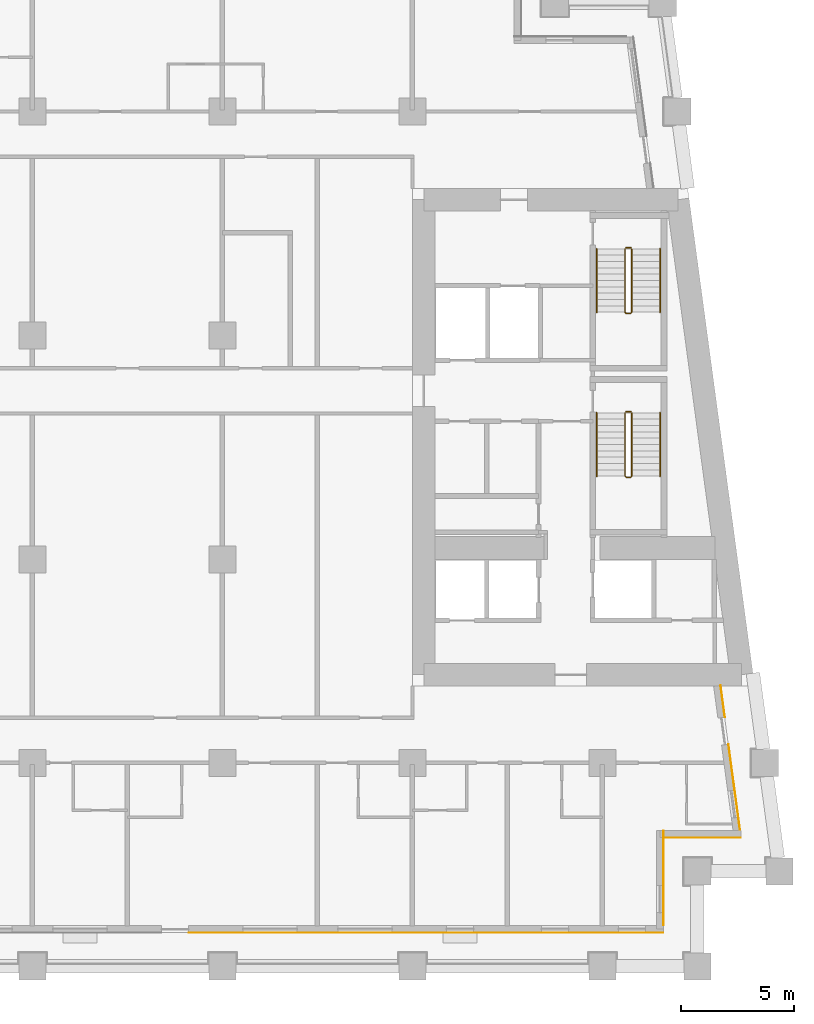
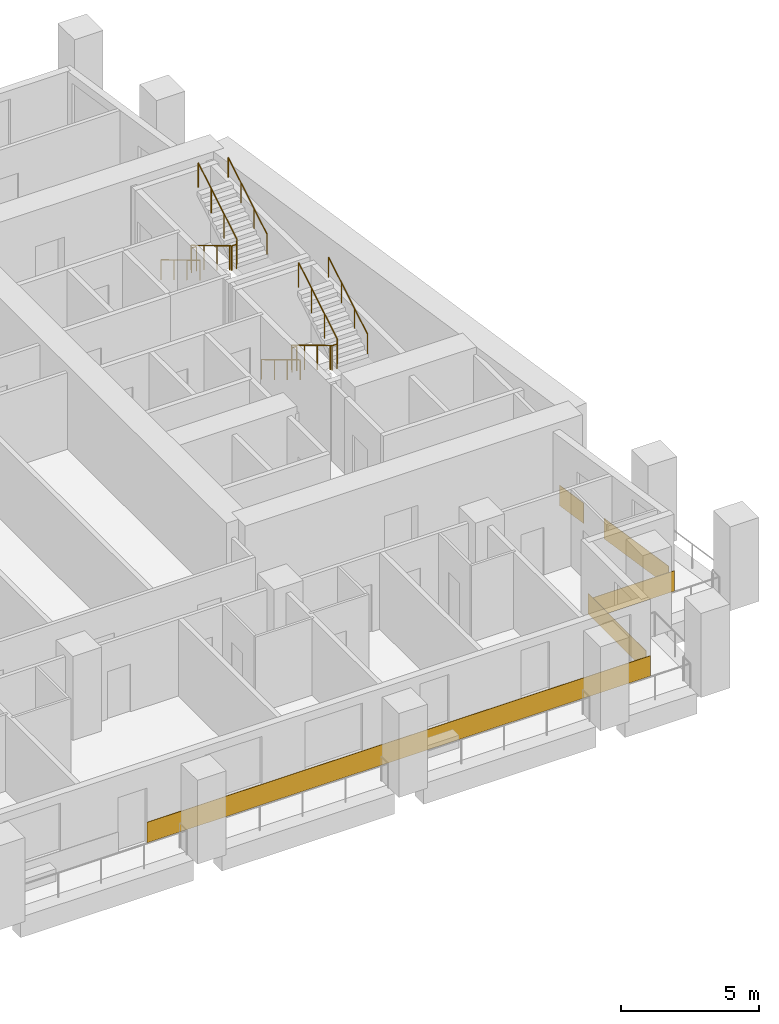
# One storey, part 11 of 13: 8 railings, 5 coverings.
"""IFC4 building model written with IfcOpenShell, lengths in metres."""

import ifcopenshell
import ifcopenshell.guid

model = None  # the IFC model being written
_history = None  # IfcOwnerHistory: only IFC2X3 demands one
_inside = {}  # id of a spatial element -> (the spatial element, [elements in it])
_under = {}  # id of a project, library or spatial element -> (it, [spatial elements below it])
_declared = {}  # id of a project -> (the project, [libraries it declares])
_typed = {}  # id of a type object -> (the type object, [elements of that type])
_made_of = {}  # id of a material, layer set ... -> (it, [elements and type objects made of it])


def new_model(schema):
    """Start an empty IFC model of exactly this schema.

    Asked for "IFC4X3", IfcOpenShell would pick the latest addendum, in which some entities
    have other attributes; the version numbers below select the first issue.
    IFC2X3 requires an IfcOwnerHistory on every rooted entity: one is made here for all.
    """
    global model, _history
    if schema == "IFC4X3":
        model = ifcopenshell.file(schema_version=(4, 3, 0, 0))
    else:
        model = ifcopenshell.file(schema=schema)
    _inside.clear()
    _under.clear()
    _declared.clear()
    _typed.clear()
    _made_of.clear()
    _history = None
    if model.schema == "IFC2X3":
        org = make("IfcOrganization", Name="unknown")
        user = make(
            "IfcPersonAndOrganization",
            ThePerson=make("IfcPerson", FamilyName="unknown"),
            TheOrganization=org,
        )
        app = make(
            "IfcApplication",
            ApplicationDeveloper=org,
            Version="unknown",
            ApplicationFullName="unknown",
            ApplicationIdentifier="unknown",
        )
        _history = make(
            "IfcOwnerHistory",
            OwningUser=user,
            OwningApplication=app,
            ChangeAction="ADDED",
            CreationDate=0,
        )
    return model


def make(cls, **values):
    """One entity of the class cls with the attributes given. An attribute that is None is left unset."""
    return model.create_entity(
        cls, **{name: value for name, value in values.items() if value is not None}
    )


def rooted(cls, **values):
    """An entity with a GlobalId (a new one), such as an element, a storey or a relation."""
    return make(cls, GlobalId=ifcopenshell.guid.new(), OwnerHistory=_history, **values)


def si_unit(unit_type, name, prefix=None):
    """IfcSIUnit, for example si_unit("LENGTHUNIT", "METRE", prefix="MILLI")."""
    return make("IfcSIUnit", UnitType=unit_type, Prefix=prefix, Name=name)


def assignment(units):
    """IfcUnitAssignment: the units of a project."""
    return None if units is None else make("IfcUnitAssignment", Units=units)


def point(xyz):
    """IfcCartesianPoint."""
    return None if xyz is None else make("IfcCartesianPoint", Coordinates=xyz)


def direction(xyz):
    """IfcDirection."""
    return None if xyz is None else make("IfcDirection", DirectionRatios=xyz)


def frame(location, z_axis=None, x_axis=None):
    """IfcAxis2Placement3D, a coordinate frame: its origin and axes. An axis left out is left unset."""
    return make(
        "IfcAxis2Placement3D",
        Location=point(location),
        Axis=direction(z_axis),
        RefDirection=direction(x_axis),
    )


def frame_2d(location, x_axis=None):
    """IfcAxis2Placement2D, a coordinate frame in the plane: its origin and x axis."""
    return make(
        "IfcAxis2Placement2D", Location=point(location), RefDirection=direction(x_axis)
    )


def origin():
    """The frame at (0, 0, 0) with its axes left unset."""
    return frame((0.0, 0.0, 0.0))


def origin_2d():
    """The frame at (0, 0) in the plane with its x axis left unset."""
    return frame_2d((0.0, 0.0))


def place(relative_to, where):
    """IfcLocalPlacement: puts the frame where relative to a parent placement (None: the world)."""
    return make(
        "IfcLocalPlacement", PlacementRelTo=relative_to, RelativePlacement=where
    )


def context(
    kind, dimensions, precision=None, world=None, true_north=None, identifier=None
):
    """IfcGeometricRepresentationContext, for example the 3D "Model" context."""
    return make(
        "IfcGeometricRepresentationContext",
        ContextIdentifier=identifier,
        ContextType=kind,
        CoordinateSpaceDimension=dimensions,
        Precision=precision,
        WorldCoordinateSystem=world,
        TrueNorth=true_north,
    )


def subcontext(parent, identifier, kind, view, scale=None):
    """IfcGeometricRepresentationSubContext, for example "Body" below "Model"."""
    return make(
        "IfcGeometricRepresentationSubContext",
        ContextIdentifier=identifier,
        ContextType=kind,
        ParentContext=parent,
        TargetScale=scale,
        TargetView=view,
    )


def project(units=None, contexts=None):
    """IfcProject with its units and contexts."""
    return rooted(
        "IfcProject",
        Name="project",
        RepresentationContexts=contexts,
        UnitsInContext=assignment(units),
    )


def spatial(cls, under=None, at=None, **own):
    """A site, building, storey or space (cls), placed at a placement, below another one or the project."""
    s = rooted(cls, ObjectPlacement=at, **own)
    if under is not None:
        _under.setdefault(under.id(), (under, []))[1].append(s)
    return s


def profile(cls, at=None, kind="AREA", **sizes):
    """A parametric profile (cls). Its sizes go by their IFC names, for example OverallWidth=200.0."""
    return make(cls, ProfileType=kind, Position=at, **sizes)


def rectangle(**sizes):
    """IfcRectangleProfileDef."""
    return profile("IfcRectangleProfileDef", **sizes)


def circle(**sizes):
    """IfcCircleProfileDef."""
    return profile("IfcCircleProfileDef", **sizes)


def extrude(swept, where, along, depth):
    """IfcExtrudedAreaSolid: the profile swept, set in the frame where, extruded along a direction by depth."""
    return make(
        "IfcExtrudedAreaSolid",
        SweptArea=swept,
        Position=where,
        ExtrudedDirection=direction(along),
        Depth=depth,
    )


def shape(context_of_items, identifier, shape_type, items):
    """IfcShapeRepresentation: the items that make up one representation, for example the "Body"."""
    return make(
        "IfcShapeRepresentation",
        ContextOfItems=context_of_items,
        RepresentationIdentifier=identifier,
        RepresentationType=shape_type,
        Items=items,
    )


def material(Name=None, Category=None):
    """IfcMaterial."""
    return make("IfcMaterial", Name=Name, Category=Category)


def layer(
    of_material, thickness, ventilated=None, Name=None, Category=None, Priority=None
):
    """IfcMaterialLayer: one layer of a wall or slab, of a material (None: an air gap)."""
    return make(
        "IfcMaterialLayer",
        Material=of_material,
        LayerThickness=thickness,
        IsVentilated=ventilated,
        Name=Name,
        Category=Category,
        Priority=Priority,
    )


def layer_set(layers, Name=None):
    """IfcMaterialLayerSet."""
    return make("IfcMaterialLayerSet", MaterialLayers=layers, LayerSetName=Name)


def made_of(thing, what):
    """Note that an element or type object is made of a material, layer set ...; save() writes the relation."""
    if what is not None:
        _made_of.setdefault(what.id(), (what, []))[1].append(thing)
    return thing


def type_object(cls, material=None, **own):
    """A type object (cls), such as IfcWallType, which elements share."""
    return made_of(rooted(cls, **own), material)


def element(
    cls,
    number,
    at=None,
    inside=None,
    cuts=None,
    type_object=None,
    material=None,
    context=None,
    identifier="Body",
    shape_type=None,
    held_by="IfcProductDefinitionShape",
    body=None,
    shapes=None,
    **own,
):
    """One element of the class cls, such as IfcWall. Its Tag is "e" and its number.

    at: its placement. inside: the storey or other place that contains it. cuts: it is an
    opening in that element (IfcRelVoidsElement). A single representation is given by context,
    identifier, shape_type and body (its items); several are given by shapes. held_by: the class
    of the entity that holds the representations. save() writes the other relations.
    """
    e = rooted(cls, Tag="e%d" % number, ObjectPlacement=at, **own)
    if body is not None:
        shapes = [shape(context, identifier, shape_type, body)]
    if shapes is not None:
        e.Representation = make(held_by, Representations=shapes)
    if inside is not None:
        _inside.setdefault(inside.id(), (inside, []))[1].append(e)
    if cuts is not None:
        rooted(
            "IfcRelVoidsElement", RelatingBuildingElement=cuts, RelatedOpeningElement=e
        )
    if type_object is not None:
        _typed.setdefault(type_object.id(), (type_object, []))[1].append(e)
    return made_of(e, material)


def aggregate(whole, parts):
    """IfcRelAggregates: a whole, such as a stair, and the parts it consists of."""
    return rooted("IfcRelAggregates", RelatingObject=whole, RelatedObjects=parts)


def save(model, path):
    """Write the relations noted so far, then the file.

    IfcRelAggregates (storeys below a building ...), IfcRelContainedInSpatialStructure (elements
    in a storey), IfcRelDefinesByType, IfcRelAssociatesMaterial and IfcRelDeclares: one each for
    every whole, place, type object, material and project.
    """
    for whole, parts in _under.values():
        aggregate(whole, parts)
    for where, things in _inside.values():
        rooted(
            "IfcRelContainedInSpatialStructure",
            RelatedElements=things,
            RelatingStructure=where,
        )
    for kind, things in _typed.values():
        rooted("IfcRelDefinesByType", RelatedObjects=things, RelatingType=kind)
    for what, things in _made_of.values():
        rooted("IfcRelAssociatesMaterial", RelatedObjects=things, RelatingMaterial=what)
    for by, libraries in _declared.values():
        rooted("IfcRelDeclares", RelatingContext=by, RelatedDefinitions=libraries)
    model.write(path)


model = new_model("IFC4")

# Units and contexts
model_context = context("Model", 3, precision=1e-05, world=origin(), true_north=direction((0.0, 1.0)))
body_context = subcontext(model_context, "Body", "Model", "MODEL_VIEW")
ifc_project = project(units=[si_unit("LENGTHUNIT", "METRE"), si_unit("AREAUNIT", "SQUARE_METRE"), si_unit("VOLUMEUNIT", "CUBIC_METRE"), si_unit("PLANEANGLEUNIT", "RADIAN"), si_unit("MASSUNIT", "GRAM", prefix="KILO")], contexts=[model_context])

# Site, building, storey
site_placement = place(None, origin())
site = spatial("IfcSite", under=ifc_project, at=site_placement, CompositionType="ELEMENT")
building_placement = place(site_placement, origin())
building = spatial("IfcBuilding", under=site, at=building_placement, Name="Candeia Pilgrim Tower and Theatre", CompositionType="ELEMENT")
storey_placement = place(building_placement, frame((0.0, 0.0, 128.0)))
storey = spatial("IfcBuildingStorey", under=building, at=storey_placement, Name="L30", CompositionType="ELEMENT", Elevation=128.0)

# Coverings
ifc_material_1 = material(Name="Glazed ceramic tile red")
ifc_layer = layer(ifc_material_1, 0.02001953125)
ifc_layer_set = layer_set([ifc_layer], Name="Glazed ceramic tile red")
covering_type = type_object("IfcCoveringType", Name="Glazed ceramic tile red", PredefinedType="CLADDING", material=ifc_layer_set)
covering_1_placement = place(storey_placement, frame((126.60009765625, 99.489990234375, 0.0), z_axis=(0.0, 0.0, 1.0), x_axis=(1.0, 0.0, 0.0)))
element("IfcCovering", 1, at=covering_1_placement, inside=storey, type_object=covering_type, Name="Tile cladding red L30", PredefinedType="CLADDING", context=body_context, shape_type="SweptSolid", body=[
    extrude(rectangle(XDim=21.0, YDim=0.02001953125, at=origin_2d()), origin(), (0.0, 0.0, 1.0), 0.89990234375),
])
covering_2_placement = place(storey_placement, frame((137.110107421875, 101.909912109375, 0.0), z_axis=(0.0, 0.0, 1.0), x_axis=(0.0, 1.0, 0.0)))
element("IfcCovering", 2, at=covering_2_placement, inside=storey, type_object=covering_type, Name="Tile cladding red L30", PredefinedType="CLADDING", context=body_context, shape_type="SweptSolid", body=[
    extrude(rectangle(XDim=4.179931640625, YDim=0.02001953125, at=origin_2d()), origin(), (0.0, 0.0, 1.0), 0.89990234375),
])
covering_3_placement = place(storey_placement, frame((138.819580078125, 103.68994140625, 0.0), z_axis=(0.0, 0.0, 1.0), x_axis=(1.0, 0.0, 0.0)))
element("IfcCovering", 3, at=covering_3_placement, inside=storey, type_object=covering_type, Name="Tile cladding red L30", PredefinedType="CLADDING", context=body_context, shape_type="SweptSolid", body=[
    extrude(rectangle(XDim=3.399169921875, YDim=0.02001953125, at=origin_2d()), origin(), (0.0, 0.0, 1.0), 0.89990234375),
])
covering_4_placement = place(storey_placement, frame((140.228515625, 105.933349609375, 0.0), z_axis=(0.0, 0.0, 1.0), x_axis=(-0.133412012145, 0.991060661622, 0.0)))
element("IfcCovering", 4, at=covering_4_placement, inside=storey, type_object=covering_type, Name="Tile cladding red L30", PredefinedType="CLADDING", context=body_context, shape_type="SweptSolid", body=[
    extrude(rectangle(XDim=3.821044921875, YDim=0.02001953125, at=origin_2d()), origin(), (0.0, 0.0, 1.0), 0.89990234375),
])
covering_5_placement = place(storey_placement, frame((139.718994140625, 109.71875, 0.0), z_axis=(0.0, 0.0, 1.0), x_axis=(-0.133412012145, 0.991060661622, 0.0)))
element("IfcCovering", 5, at=covering_5_placement, inside=storey, type_object=covering_type, Name="Tile cladding red L30", PredefinedType="CLADDING", context=body_context, shape_type="SweptSolid", body=[
    extrude(rectangle(XDim=1.41796875, YDim=0.02001953125, at=origin_2d()), origin(), (0.0, 0.0, 1.0), 0.89990234375),
])

# Railings
ifc_material_2 = material(Name="Stainless steel balustrade", Category="steel")
railing_type_1 = type_object("IfcRailingType", Name="RL-GUARD-1100", PredefinedType="GUARDRAIL", material=ifc_material_2)
railing_1_placement = place(storey_placement, frame((135.39794921875, 122.47509765625, 0.168212890625)))
element("IfcRailing", 6, at=railing_1_placement, inside=storey, type_object=railing_type_1, Name="L30 ST3 stair guard 1", PredefinedType="GUARDRAIL", context=body_context, shape_type="SweptSolid", body=[
    extrude(circle(Radius=0.02392578125, at=origin_2d()), frame((0.0, 0.0, 1.076171875), z_axis=(0.0, -0.857242210791, 0.514913383045), x_axis=(1.0, 0.0, 0.0)), (0.0, 0.0, 1.0), 3.266357421875),
    extrude(circle(Radius=0.02392578125, at=origin_2d()), frame((0.0, -2.800048828125, 2.7578125), z_axis=(0.707106781187, -0.707106781187, 0.0), x_axis=(0.707106781187, 0.707106781187, 0.0)), (0.0, 0.0, 1.0), 0.07080078125),
    extrude(circle(Radius=0.02392578125, at=origin_2d()), frame((0.050048828125, -2.85009765625, 2.7578125), z_axis=(1.0, 0.0, 0.0), x_axis=(0.0, 1.0, 0.0)), (0.0, 0.0, 1.0), 0.199951171875),
    extrude(circle(Radius=0.02392578125, at=origin_2d()), frame((0.25, -2.85009765625, 2.7578125), z_axis=(0.274582412415, 0.274582412415, 0.921525364591), x_axis=(-0.707106781187, 0.707106781187, 0.0)), (0.0, 0.0, 1.0), 0.182373046875),
    extrude(circle(Radius=0.02392578125, at=origin_2d()), frame((0.300048828125, -2.800048828125, 2.92578125), z_axis=(0.0, 0.857242210791, 0.514913383045), x_axis=(-1.0, 0.0, 0.0)), (0.0, 0.0, 1.0), 3.266357421875),
    extrude(circle(Radius=0.02099609375, at=origin_2d()), origin(), (0.0, 0.0, 1.0), 1.052001953125),
    extrude(circle(Radius=0.02099609375, at=origin_2d()), frame((0.0, -0.933349609375, 0.560546875)), (0.0, 0.0, 1.0), 1.052001953125),
    extrude(circle(Radius=0.02099609375, at=origin_2d()), frame((0.0, -1.86669921875, 1.121337890625)), (0.0, 0.0, 1.0), 1.052001953125),
    extrude(circle(Radius=0.02099609375, at=origin_2d()), frame((0.0, -2.800048828125, 1.681884765625)), (0.0, 0.0, 1.0), 1.052001953125),
    extrude(circle(Radius=0.02099609375, at=origin_2d()), frame((0.050048828125, -2.85009765625, 1.681884765625)), (0.0, 0.0, 1.0), 1.052001953125),
    extrude(circle(Radius=0.02099609375, at=origin_2d()), frame((0.25, -2.85009765625, 1.681884765625)), (0.0, 0.0, 1.0), 1.052001953125),
    extrude(circle(Radius=0.02099609375, at=origin_2d()), frame((0.300048828125, -2.800048828125, 1.849853515625)), (0.0, 0.0, 1.0), 1.052001953125),
    extrude(circle(Radius=0.02099609375, at=origin_2d()), frame((0.300048828125, -1.86669921875, 2.410400390625)), (0.0, 0.0, 1.0), 1.052001953125),
    extrude(circle(Radius=0.02099609375, at=origin_2d()), frame((0.300048828125, -0.933349609375, 2.97119140625)), (0.0, 0.0, 1.0), 1.052001953125),
    extrude(circle(Radius=0.02099609375, at=origin_2d()), frame((0.300048828125, 0.0, 3.53173828125)), (0.0, 0.0, 1.0), 1.052001953125),
])
railing_2_placement = place(storey_placement, frame((135.447998046875, 122.52490234375, 0.0)))
element("IfcRailing", 7, at=railing_2_placement, inside=storey, type_object=railing_type_1, Name="L30 ST3 stair guard 2", PredefinedType="GUARDRAIL", context=body_context, shape_type="SweptSolid", body=[
    extrude(circle(Radius=0.02392578125, at=origin_2d()), frame((0.0, 0.0, 1.076171875), z_axis=(1.0, 0.0, 0.0), x_axis=(0.0, 1.0, 0.0)), (0.0, 0.0, 1.0), 0.199951171875),
    extrude(circle(Radius=0.02099609375, at=origin_2d()), origin(), (0.0, 0.0, 1.0), 1.052001953125),
    extrude(circle(Radius=0.02099609375, at=origin_2d()), frame((0.199951171875, 0.0, 0.0)), (0.0, 0.0, 1.0), 1.052001953125),
])
railing_3_placement = place(storey_placement, frame((135.39794921875, 129.72509765625, 0.168212890625)))
element("IfcRailing", 8, at=railing_3_placement, inside=storey, type_object=railing_type_1, Name="L30 ST4 stair guard 1", PredefinedType="GUARDRAIL", context=body_context, shape_type="SweptSolid", body=[
    extrude(circle(Radius=0.02392578125, at=origin_2d()), frame((0.0, 0.0, 1.076171875), z_axis=(0.0, -0.857242210791, 0.514913383045), x_axis=(1.0, 0.0, 0.0)), (0.0, 0.0, 1.0), 3.266357421875),
    extrude(circle(Radius=0.02392578125, at=origin_2d()), frame((0.0, -2.800048828125, 2.7578125), z_axis=(0.707106781187, -0.707106781187, 0.0), x_axis=(0.707106781187, 0.707106781187, 0.0)), (0.0, 0.0, 1.0), 0.07080078125),
    extrude(circle(Radius=0.02392578125, at=origin_2d()), frame((0.050048828125, -2.85009765625, 2.7578125), z_axis=(1.0, 0.0, 0.0), x_axis=(0.0, 1.0, 0.0)), (0.0, 0.0, 1.0), 0.199951171875),
    extrude(circle(Radius=0.02392578125, at=origin_2d()), frame((0.25, -2.85009765625, 2.7578125), z_axis=(0.274582412415, 0.274582412415, 0.921525364591), x_axis=(-0.707106781187, 0.707106781187, 0.0)), (0.0, 0.0, 1.0), 0.182373046875),
    extrude(circle(Radius=0.02392578125, at=origin_2d()), frame((0.300048828125, -2.800048828125, 2.92578125), z_axis=(0.0, 0.857242210791, 0.514913383045), x_axis=(-1.0, 0.0, 0.0)), (0.0, 0.0, 1.0), 3.266357421875),
    extrude(circle(Radius=0.02099609375, at=origin_2d()), origin(), (0.0, 0.0, 1.0), 1.052001953125),
    extrude(circle(Radius=0.02099609375, at=origin_2d()), frame((0.0, -0.933349609375, 0.560546875)), (0.0, 0.0, 1.0), 1.052001953125),
    extrude(circle(Radius=0.02099609375, at=origin_2d()), frame((0.0, -1.86669921875, 1.121337890625)), (0.0, 0.0, 1.0), 1.052001953125),
    extrude(circle(Radius=0.02099609375, at=origin_2d()), frame((0.0, -2.800048828125, 1.681884765625)), (0.0, 0.0, 1.0), 1.052001953125),
    extrude(circle(Radius=0.02099609375, at=origin_2d()), frame((0.050048828125, -2.85009765625, 1.681884765625)), (0.0, 0.0, 1.0), 1.052001953125),
    extrude(circle(Radius=0.02099609375, at=origin_2d()), frame((0.25, -2.85009765625, 1.681884765625)), (0.0, 0.0, 1.0), 1.052001953125),
    extrude(circle(Radius=0.02099609375, at=origin_2d()), frame((0.300048828125, -2.800048828125, 1.849853515625)), (0.0, 0.0, 1.0), 1.052001953125),
    extrude(circle(Radius=0.02099609375, at=origin_2d()), frame((0.300048828125, -1.86669921875, 2.410400390625)), (0.0, 0.0, 1.0), 1.052001953125),
    extrude(circle(Radius=0.02099609375, at=origin_2d()), frame((0.300048828125, -0.933349609375, 2.97119140625)), (0.0, 0.0, 1.0), 1.052001953125),
    extrude(circle(Radius=0.02099609375, at=origin_2d()), frame((0.300048828125, 0.0, 3.53173828125)), (0.0, 0.0, 1.0), 1.052001953125),
])
railing_4_placement = place(storey_placement, frame((135.447998046875, 129.77490234375, 0.0)))
element("IfcRailing", 9, at=railing_4_placement, inside=storey, type_object=railing_type_1, Name="L30 ST4 stair guard 2", PredefinedType="GUARDRAIL", context=body_context, shape_type="SweptSolid", body=[
    extrude(circle(Radius=0.02392578125, at=origin_2d()), frame((0.0, 0.0, 1.076171875), z_axis=(1.0, 0.0, 0.0), x_axis=(0.0, 1.0, 0.0)), (0.0, 0.0, 1.0), 0.199951171875),
    extrude(circle(Radius=0.02099609375, at=origin_2d()), origin(), (0.0, 0.0, 1.0), 1.052001953125),
    extrude(circle(Radius=0.02099609375, at=origin_2d()), frame((0.199951171875, 0.0, 0.0)), (0.0, 0.0, 1.0), 1.052001953125),
])
ifc_material_3 = material(Name="Stainless steel handrail", Category="steel")
railing_type_2 = type_object("IfcRailingType", Name="RL-HANDRAIL-900", PredefinedType="HANDRAIL", material=ifc_material_3)
railing_5_placement = place(storey_placement, frame((134.14794921875, 122.47509765625, 0.168212890625)))
element("IfcRailing", 10, at=railing_5_placement, inside=storey, type_object=railing_type_2, Name="L30 ST3 stair handrail 1", PredefinedType="HANDRAIL", context=body_context, shape_type="SweptSolid", body=[
    extrude(circle(Radius=0.02392578125, at=origin_2d()), frame((0.0, 0.0, 0.8759765625), z_axis=(0.0, -0.857242210791, 0.514913383045), x_axis=(1.0, 0.0, 0.0)), (0.0, 0.0, 1.0), 3.266357421875),
    extrude(circle(Radius=0.02099609375, at=origin_2d()), origin(), (0.0, 0.0, 1.0), 0.851806640625),
    extrude(circle(Radius=0.02099609375, at=origin_2d()), frame((0.0, -0.933349609375, 0.560546875)), (0.0, 0.0, 1.0), 0.851806640625),
    extrude(circle(Radius=0.02099609375, at=origin_2d()), frame((0.0, -1.86669921875, 1.121337890625)), (0.0, 0.0, 1.0), 0.851806640625),
    extrude(circle(Radius=0.02099609375, at=origin_2d()), frame((0.0, -2.800048828125, 1.681884765625)), (0.0, 0.0, 1.0), 0.851806640625),
])
railing_6_placement = place(storey_placement, frame((136.947998046875, 119.675048828125, 2.01806640625)))
element("IfcRailing", 11, at=railing_6_placement, inside=storey, type_object=railing_type_2, Name="L30 ST3 stair handrail 2", PredefinedType="HANDRAIL", context=body_context, shape_type="SweptSolid", body=[
    extrude(circle(Radius=0.02392578125, at=origin_2d()), frame((0.0, 0.0, 0.8759765625), z_axis=(0.0, 0.857242210791, 0.514913383045), x_axis=(-1.0, 0.0, 0.0)), (0.0, 0.0, 1.0), 3.266357421875),
    extrude(circle(Radius=0.02099609375, at=origin_2d()), origin(), (0.0, 0.0, 1.0), 0.851806640625),
    extrude(circle(Radius=0.02099609375, at=origin_2d()), frame((0.0, 0.933349609375, 0.560546875)), (0.0, 0.0, 1.0), 0.851806640625),
    extrude(circle(Radius=0.02099609375, at=origin_2d()), frame((0.0, 1.86669921875, 1.121337890625)), (0.0, 0.0, 1.0), 0.851806640625),
    extrude(circle(Radius=0.02099609375, at=origin_2d()), frame((0.0, 2.800048828125, 1.681884765625)), (0.0, 0.0, 1.0), 0.851806640625),
])
railing_7_placement = place(storey_placement, frame((134.14794921875, 129.72509765625, 0.168212890625)))
element("IfcRailing", 12, at=railing_7_placement, inside=storey, type_object=railing_type_2, Name="L30 ST4 stair handrail 1", PredefinedType="HANDRAIL", context=body_context, shape_type="SweptSolid", body=[
    extrude(circle(Radius=0.02392578125, at=origin_2d()), frame((0.0, 0.0, 0.8759765625), z_axis=(0.0, -0.857242210791, 0.514913383045), x_axis=(1.0, 0.0, 0.0)), (0.0, 0.0, 1.0), 3.266357421875),
    extrude(circle(Radius=0.02099609375, at=origin_2d()), origin(), (0.0, 0.0, 1.0), 0.851806640625),
    extrude(circle(Radius=0.02099609375, at=origin_2d()), frame((0.0, -0.933349609375, 0.560546875)), (0.0, 0.0, 1.0), 0.851806640625),
    extrude(circle(Radius=0.02099609375, at=origin_2d()), frame((0.0, -1.86669921875, 1.121337890625)), (0.0, 0.0, 1.0), 0.851806640625),
    extrude(circle(Radius=0.02099609375, at=origin_2d()), frame((0.0, -2.800048828125, 1.681884765625)), (0.0, 0.0, 1.0), 0.851806640625),
])
railing_8_placement = place(storey_placement, frame((136.947998046875, 126.925048828125, 2.01806640625)))
element("IfcRailing", 13, at=railing_8_placement, inside=storey, type_object=railing_type_2, Name="L30 ST4 stair handrail 2", PredefinedType="HANDRAIL", context=body_context, shape_type="SweptSolid", body=[
    extrude(circle(Radius=0.02392578125, at=origin_2d()), frame((0.0, 0.0, 0.8759765625), z_axis=(0.0, 0.857242210791, 0.514913383045), x_axis=(-1.0, 0.0, 0.0)), (0.0, 0.0, 1.0), 3.266357421875),
    extrude(circle(Radius=0.02099609375, at=origin_2d()), origin(), (0.0, 0.0, 1.0), 0.851806640625),
    extrude(circle(Radius=0.02099609375, at=origin_2d()), frame((0.0, 0.933349609375, 0.560546875)), (0.0, 0.0, 1.0), 0.851806640625),
    extrude(circle(Radius=0.02099609375, at=origin_2d()), frame((0.0, 1.86669921875, 1.121337890625)), (0.0, 0.0, 1.0), 0.851806640625),
    extrude(circle(Radius=0.02099609375, at=origin_2d()), frame((0.0, 2.800048828125, 1.681884765625)), (0.0, 0.0, 1.0), 0.851806640625),
])

save(model, "model.ifc")
